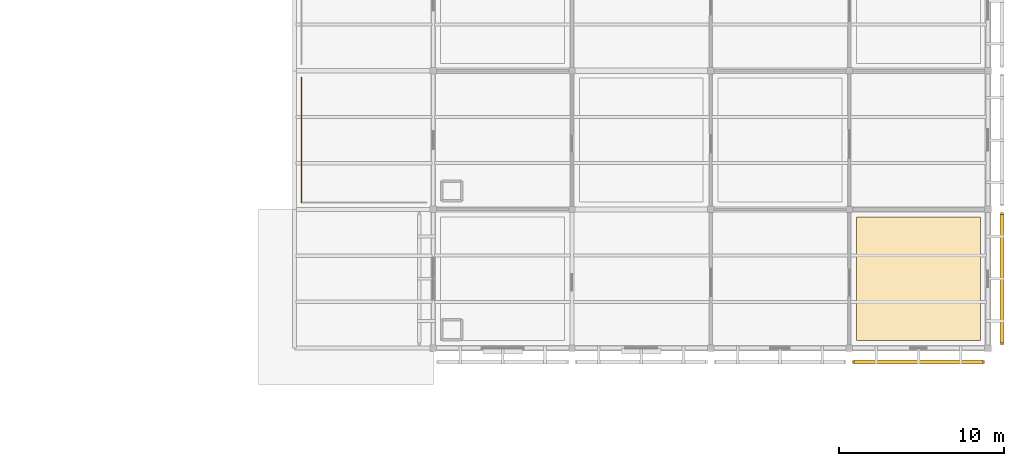
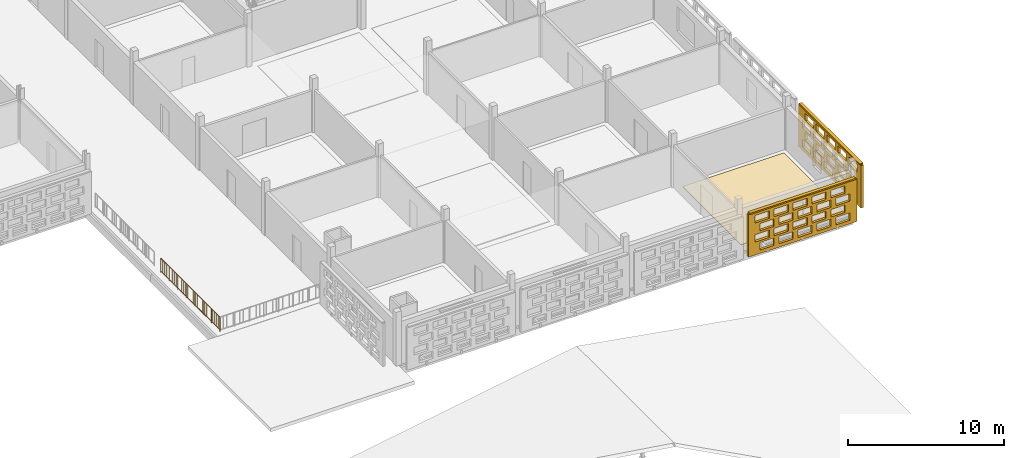
# One storey, part 132 of 140: 3 coverings, 2 shading devices, 1 railing, 40 openings.
"""IFC4 building model written with IfcOpenShell, lengths in metres."""

from ifc_helpers import new_model, si_unit, direction, frame, frame_2d, origin, origin_2d, place, context, subcontext, project, spatial, rectangle, circle, extrude, material, layer, layer_set, type_object, element, save


model = new_model("IFC4")

# Units and contexts
model_context = context("Model", 3, precision=1e-05, world=origin(), true_north=direction((0.0, 1.0)))
body_context = subcontext(model_context, "Body", "Model", "MODEL_VIEW")
ifc_project = project(units=[si_unit("LENGTHUNIT", "METRE"), si_unit("AREAUNIT", "SQUARE_METRE"), si_unit("VOLUMEUNIT", "CUBIC_METRE"), si_unit("PLANEANGLEUNIT", "RADIAN"), si_unit("MASSUNIT", "GRAM", prefix="KILO")], contexts=[model_context])

# Site, building, storey
site_placement = place(None, origin())
site = spatial("IfcSite", under=ifc_project, at=site_placement, CompositionType="ELEMENT")
building_placement = place(site_placement, origin())
building = spatial("IfcBuilding", under=site, at=building_placement, Name="Varnapada Polytechnic", CompositionType="ELEMENT")
storey_placement = place(building_placement, frame((0.0, 0.0, 13.800048828125)))
storey = spatial("IfcBuildingStorey", under=building, at=storey_placement, Name="L03", CompositionType="ELEMENT", Elevation=13.800048828125)

# Covering
ifc_material_1 = material(Name="End-Grain Timber Studio Block Flooring", Category="wood")
ifc_layer_1 = layer(ifc_material_1, 0.054931640625)
ifc_layer_set_1 = layer_set([ifc_layer_1], Name="End-Grain Timber Studio Block Flooring")
covering_type_1 = type_object("IfcCoveringType", Name="Floor Finish FLR-04", PredefinedType="FLOORING", material=ifc_layer_set_1)
covering_1_placement = place(storey_placement, frame((172.199951171875, 63.0, 0.0), z_axis=(0.0, 0.0, 1.0), x_axis=(1.0, 0.0, 0.0)))
element("IfcCovering", 1, at=covering_1_placement, inside=storey, type_object=covering_type_1, Name="L03 floor finish panel (21,8)", PredefinedType="FLOORING", context=body_context, shape_type="SweptSolid", body=[
    extrude(rectangle(XDim=7.5, YDim=7.5, at=origin_2d()), origin(), (0.0, 0.0, 1.0), 0.054931640625),
])

# Railing
ifc_material_2 = material(Name="Painted galvanized steel", Category="steel")
railing_type = type_object("IfcRailingType", Name="Terrace Guard Rail GRD-01", PredefinedType="BALUSTRADE", material=ifc_material_2)
railing_placement = place(storey_placement, frame((134.820068359375, 67.6201171875, 0.0)))
element("IfcRailing", 2, at=railing_placement, inside=storey, type_object=railing_type, Name="L03 terrace perimeter guard rail 8", PredefinedType="BALUSTRADE", context=body_context, shape_type="SweptSolid", body=[
    extrude(circle(Radius=0.02392578125, at=origin_2d()), frame((0.0, 0.0, 1.09619140625), z_axis=(0.0, 1.0, 0.0), x_axis=(-1.0, 0.0, 0.0)), (0.0, 0.0, 1.0), 7.559814453125),
    extrude(circle(Radius=0.02392578125, at=origin_2d()), frame((0.0, 0.0, 0.10009765625), z_axis=(0.0, 1.0, 0.0), x_axis=(-1.0, 0.0, 0.0)), (0.0, 0.0, 1.0), 7.559814453125),
    extrude(circle(Radius=0.02099609375, at=origin_2d()), origin(), (0.0, 0.0, 1.0), 1.072021484375),
    extrude(circle(Radius=0.02099609375, at=origin_2d()), frame((0.0, 1.080078125, 0.0)), (0.0, 0.0, 1.0), 1.072021484375),
    extrude(circle(Radius=0.02099609375, at=origin_2d()), frame((0.0, 2.159912109375, 0.0)), (0.0, 0.0, 1.0), 1.072021484375),
    extrude(circle(Radius=0.02099609375, at=origin_2d()), frame((0.0, 3.239990234375, 0.0)), (0.0, 0.0, 1.0), 1.072021484375),
    extrude(circle(Radius=0.02099609375, at=origin_2d()), frame((0.0, 4.31982421875, 0.0)), (0.0, 0.0, 1.0), 1.072021484375),
    extrude(circle(Radius=0.02099609375, at=origin_2d()), frame((0.0, 5.39990234375, 0.0)), (0.0, 0.0, 1.0), 1.072021484375),
    extrude(circle(Radius=0.02099609375, at=origin_2d()), frame((0.0, 6.479736328125, 0.0)), (0.0, 0.0, 1.0), 1.072021484375),
    extrude(circle(Radius=0.02099609375, at=origin_2d()), frame((0.0, 7.559814453125, 0.0)), (0.0, 0.0, 1.0), 1.072021484375),
    extrude(circle(Radius=0.010009765625, at=origin_2d()), frame((0.0, 0.243896484375, 0.10009765625)), (0.0, 0.0, 1.0), 0.971923828125),
    extrude(circle(Radius=0.010009765625, at=origin_2d()), frame((0.0, 0.48779296875, 0.10009765625)), (0.0, 0.0, 1.0), 0.971923828125),
    extrude(circle(Radius=0.010009765625, at=origin_2d()), frame((0.0, 0.731689453125, 0.10009765625)), (0.0, 0.0, 1.0), 0.971923828125),
    extrude(circle(Radius=0.010009765625, at=origin_2d()), frame((0.0, 0.975341796875, 0.10009765625)), (0.0, 0.0, 1.0), 0.971923828125),
    extrude(circle(Radius=0.010009765625, at=origin_2d()), frame((0.0, 1.21923828125, 0.10009765625)), (0.0, 0.0, 1.0), 0.971923828125),
    extrude(circle(Radius=0.010009765625, at=origin_2d()), frame((0.0, 1.463134765625, 0.10009765625)), (0.0, 0.0, 1.0), 0.971923828125),
    extrude(circle(Radius=0.010009765625, at=origin_2d()), frame((0.0, 1.70703125, 0.10009765625)), (0.0, 0.0, 1.0), 0.971923828125),
    extrude(circle(Radius=0.010009765625, at=origin_2d()), frame((0.0, 1.950927734375, 0.10009765625)), (0.0, 0.0, 1.0), 0.971923828125),
    extrude(circle(Radius=0.010009765625, at=origin_2d()), frame((0.0, 2.19482421875, 0.10009765625)), (0.0, 0.0, 1.0), 0.971923828125),
    extrude(circle(Radius=0.010009765625, at=origin_2d()), frame((0.0, 2.438720703125, 0.10009765625)), (0.0, 0.0, 1.0), 0.971923828125),
    extrude(circle(Radius=0.010009765625, at=origin_2d()), frame((0.0, 2.6826171875, 0.10009765625)), (0.0, 0.0, 1.0), 0.971923828125),
    extrude(circle(Radius=0.010009765625, at=origin_2d()), frame((0.0, 2.92626953125, 0.10009765625)), (0.0, 0.0, 1.0), 0.971923828125),
    extrude(circle(Radius=0.010009765625, at=origin_2d()), frame((0.0, 3.170166015625, 0.10009765625)), (0.0, 0.0, 1.0), 0.971923828125),
    extrude(circle(Radius=0.010009765625, at=origin_2d()), frame((0.0, 3.4140625, 0.10009765625)), (0.0, 0.0, 1.0), 0.971923828125),
    extrude(circle(Radius=0.010009765625, at=origin_2d()), frame((0.0, 3.657958984375, 0.10009765625)), (0.0, 0.0, 1.0), 0.971923828125),
    extrude(circle(Radius=0.010009765625, at=origin_2d()), frame((0.0, 3.90185546875, 0.10009765625)), (0.0, 0.0, 1.0), 0.971923828125),
    extrude(circle(Radius=0.010009765625, at=origin_2d()), frame((0.0, 4.145751953125, 0.10009765625)), (0.0, 0.0, 1.0), 0.971923828125),
    extrude(circle(Radius=0.010009765625, at=origin_2d()), frame((0.0, 4.3896484375, 0.10009765625)), (0.0, 0.0, 1.0), 0.971923828125),
    extrude(circle(Radius=0.010009765625, at=origin_2d()), frame((0.0, 4.633544921875, 0.10009765625)), (0.0, 0.0, 1.0), 0.971923828125),
    extrude(circle(Radius=0.010009765625, at=origin_2d()), frame((0.0, 4.877197265625, 0.10009765625)), (0.0, 0.0, 1.0), 0.971923828125),
    extrude(circle(Radius=0.010009765625, at=origin_2d()), frame((0.0, 5.12109375, 0.10009765625)), (0.0, 0.0, 1.0), 0.971923828125),
    extrude(circle(Radius=0.010009765625, at=origin_2d()), frame((0.0, 5.364990234375, 0.10009765625)), (0.0, 0.0, 1.0), 0.971923828125),
    extrude(circle(Radius=0.010009765625, at=origin_2d()), frame((0.0, 5.60888671875, 0.10009765625)), (0.0, 0.0, 1.0), 0.971923828125),
    extrude(circle(Radius=0.010009765625, at=origin_2d()), frame((0.0, 5.852783203125, 0.10009765625)), (0.0, 0.0, 1.0), 0.971923828125),
    extrude(circle(Radius=0.010009765625, at=origin_2d()), frame((0.0, 6.0966796875, 0.10009765625)), (0.0, 0.0, 1.0), 0.971923828125),
    extrude(circle(Radius=0.010009765625, at=origin_2d()), frame((0.0, 6.340576171875, 0.10009765625)), (0.0, 0.0, 1.0), 0.971923828125),
    extrude(circle(Radius=0.010009765625, at=origin_2d()), frame((0.0, 6.58447265625, 0.10009765625)), (0.0, 0.0, 1.0), 0.971923828125),
    extrude(circle(Radius=0.010009765625, at=origin_2d()), frame((0.0, 6.828125, 0.10009765625)), (0.0, 0.0, 1.0), 0.971923828125),
    extrude(circle(Radius=0.010009765625, at=origin_2d()), frame((0.0, 7.072021484375, 0.10009765625)), (0.0, 0.0, 1.0), 0.971923828125),
    extrude(circle(Radius=0.010009765625, at=origin_2d()), frame((0.0, 7.31591796875, 0.10009765625)), (0.0, 0.0, 1.0), 0.971923828125),
])

# Covering, openings
ifc_material_3 = material(Name="Earth-toned architectural terracotta screen block", Category="masonry")
ifc_layer_2 = layer(ifc_material_3, 0.1201171875)
ifc_layer_set_2 = layer_set([ifc_layer_2], Name="Earth-toned architectural terracotta screen block")
covering_type_2 = type_object("IfcCoveringType", Name="Terracotta Screen Cladding CLD-01", PredefinedType="CLADDING", material=ifc_layer_set_2)
covering_2_placement = place(storey_placement, frame((176.199951171875, 57.949951171875, 0.0), z_axis=(0.0, 0.0, 1.0), x_axis=(-1.0, 0.0, 0.0)))
covering_2 = element("IfcCovering", 3, at=covering_2_placement, inside=storey, type_object=covering_type_2, Name="L03 perforated terracotta block screen (92)", PredefinedType="CLADDING", context=body_context, shape_type="SweptSolid", body=[
    extrude(rectangle(XDim=8.010009765625, YDim=0.179931640625, at=frame_2d((4.0048828125, 0.0))), origin(), (0.0, 0.0, 1.0), 3.320068359375),
])
opening_1_placement = place(covering_2_placement, frame((0.5048828125, 0.0, 0.265625)))
element("IfcOpeningElement", 4, at=opening_1_placement, cuts=covering_2, Name="Screen perforation TBS-L03-091.1", PredefinedType="OPENING", context=body_context, shape_type="SweptSolid", body=[
    extrude(rectangle(XDim=1.0400390625, YDim=0.5810546875, at=frame_2d((0.52001953125, 0.29052734375))), frame((0.0, 0.099853515625, 0.0), z_axis=(0.0, -1.0, 0.0), x_axis=(1.0, 0.0, 0.0)), (0.0, 0.0, 1.0), 0.199951171875),
])
opening_2_placement = place(covering_2_placement, frame((1.905029296875, 0.0, 0.265625)))
element("IfcOpeningElement", 5, at=opening_2_placement, cuts=covering_2, Name="Screen perforation TBS-L03-091.2", PredefinedType="OPENING", context=body_context, shape_type="SweptSolid", body=[
    extrude(rectangle(XDim=1.0400390625, YDim=0.5810546875, at=frame_2d((0.52001953125, 0.29052734375))), frame((0.0, 0.099853515625, 0.0), z_axis=(0.0, -1.0, 0.0), x_axis=(1.0, 0.0, 0.0)), (0.0, 0.0, 1.0), 0.199951171875),
])
opening_3_placement = place(covering_2_placement, frame((3.304931640625, 0.0, 0.265625)))
element("IfcOpeningElement", 6, at=opening_3_placement, cuts=covering_2, Name="Screen perforation TBS-L03-091.3", PredefinedType="OPENING", context=body_context, shape_type="SweptSolid", body=[
    extrude(rectangle(XDim=1.0400390625, YDim=0.5810546875, at=frame_2d((0.52001953125, 0.29052734375))), frame((0.0, 0.099853515625, 0.0), z_axis=(0.0, -1.0, 0.0), x_axis=(1.0, 0.0, 0.0)), (0.0, 0.0, 1.0), 0.199951171875),
])
opening_4_placement = place(covering_2_placement, frame((4.705078125, 0.0, 0.265625)))
element("IfcOpeningElement", 7, at=opening_4_placement, cuts=covering_2, Name="Screen perforation TBS-L03-091.4", PredefinedType="OPENING", context=body_context, shape_type="SweptSolid", body=[
    extrude(rectangle(XDim=1.0400390625, YDim=0.5810546875, at=frame_2d((0.52001953125, 0.29052734375))), frame((0.0, 0.099853515625, 0.0), z_axis=(0.0, -1.0, 0.0), x_axis=(1.0, 0.0, 0.0)), (0.0, 0.0, 1.0), 0.199951171875),
])
opening_5_placement = place(covering_2_placement, frame((6.10498046875, 0.0, 0.265625)))
element("IfcOpeningElement", 8, at=opening_5_placement, cuts=covering_2, Name="Screen perforation TBS-L03-091.5", PredefinedType="OPENING", context=body_context, shape_type="SweptSolid", body=[
    extrude(rectangle(XDim=1.0400390625, YDim=0.5810546875, at=frame_2d((0.52001953125, 0.29052734375))), frame((0.0, 0.099853515625, 0.0), z_axis=(0.0, -1.0, 0.0), x_axis=(1.0, 0.0, 0.0)), (0.0, 0.0, 1.0), 0.199951171875),
])
opening_6_placement = place(covering_2_placement, frame((0.864990234375, 0.0, 1.0126953125)))
element("IfcOpeningElement", 9, at=opening_6_placement, cuts=covering_2, Name="Screen perforation TBS-L03-091.6", PredefinedType="OPENING", context=body_context, shape_type="SweptSolid", body=[
    extrude(rectangle(XDim=1.0400390625, YDim=0.5810546875, at=frame_2d((0.52001953125, 0.29052734375))), frame((0.0, 0.099853515625, 0.0), z_axis=(0.0, -1.0, 0.0), x_axis=(1.0, 0.0, 0.0)), (0.0, 0.0, 1.0), 0.199951171875),
])
opening_7_placement = place(covering_2_placement, frame((2.264892578125, 0.0, 1.0126953125)))
element("IfcOpeningElement", 10, at=opening_7_placement, cuts=covering_2, Name="Screen perforation TBS-L03-091.7", PredefinedType="OPENING", context=body_context, shape_type="SweptSolid", body=[
    extrude(rectangle(XDim=1.0400390625, YDim=0.5810546875, at=frame_2d((0.52001953125, 0.29052734375))), frame((0.0, 0.099853515625, 0.0), z_axis=(0.0, -1.0, 0.0), x_axis=(1.0, 0.0, 0.0)), (0.0, 0.0, 1.0), 0.199951171875),
])
opening_8_placement = place(covering_2_placement, frame((3.6650390625, 0.0, 1.0126953125)))
element("IfcOpeningElement", 11, at=opening_8_placement, cuts=covering_2, Name="Screen perforation TBS-L03-091.8", PredefinedType="OPENING", context=body_context, shape_type="SweptSolid", body=[
    extrude(rectangle(XDim=1.0400390625, YDim=0.5810546875, at=frame_2d((0.52001953125, 0.29052734375))), frame((0.0, 0.099853515625, 0.0), z_axis=(0.0, -1.0, 0.0), x_axis=(1.0, 0.0, 0.0)), (0.0, 0.0, 1.0), 0.199951171875),
])
opening_9_placement = place(covering_2_placement, frame((5.06494140625, 0.0, 1.0126953125)))
element("IfcOpeningElement", 12, at=opening_9_placement, cuts=covering_2, Name="Screen perforation TBS-L03-091.9", PredefinedType="OPENING", context=body_context, shape_type="SweptSolid", body=[
    extrude(rectangle(XDim=1.0400390625, YDim=0.5810546875, at=frame_2d((0.52001953125, 0.29052734375))), frame((0.0, 0.099853515625, 0.0), z_axis=(0.0, -1.0, 0.0), x_axis=(1.0, 0.0, 0.0)), (0.0, 0.0, 1.0), 0.199951171875),
])
opening_10_placement = place(covering_2_placement, frame((6.465087890625, 0.0, 1.0126953125)))
element("IfcOpeningElement", 13, at=opening_10_placement, cuts=covering_2, Name="Screen perforation TBS-L03-091.10", PredefinedType="OPENING", context=body_context, shape_type="SweptSolid", body=[
    extrude(rectangle(XDim=1.0400390625, YDim=0.5810546875, at=frame_2d((0.52001953125, 0.29052734375))), frame((0.0, 0.099853515625, 0.0), z_axis=(0.0, -1.0, 0.0), x_axis=(1.0, 0.0, 0.0)), (0.0, 0.0, 1.0), 0.199951171875),
])
opening_11_placement = place(covering_2_placement, frame((0.5048828125, 0.0, 1.759521484375)))
element("IfcOpeningElement", 14, at=opening_11_placement, cuts=covering_2, Name="Screen perforation TBS-L03-091.11", PredefinedType="OPENING", context=body_context, shape_type="SweptSolid", body=[
    extrude(rectangle(XDim=1.0400390625, YDim=0.5810546875, at=frame_2d((0.52001953125, 0.29052734375))), frame((0.0, 0.099853515625, 0.0), z_axis=(0.0, -1.0, 0.0), x_axis=(1.0, 0.0, 0.0)), (0.0, 0.0, 1.0), 0.199951171875),
])
opening_12_placement = place(covering_2_placement, frame((1.905029296875, 0.0, 1.759521484375)))
element("IfcOpeningElement", 15, at=opening_12_placement, cuts=covering_2, Name="Screen perforation TBS-L03-091.12", PredefinedType="OPENING", context=body_context, shape_type="SweptSolid", body=[
    extrude(rectangle(XDim=1.0400390625, YDim=0.5810546875, at=frame_2d((0.52001953125, 0.29052734375))), frame((0.0, 0.099853515625, 0.0), z_axis=(0.0, -1.0, 0.0), x_axis=(1.0, 0.0, 0.0)), (0.0, 0.0, 1.0), 0.199951171875),
])
opening_13_placement = place(covering_2_placement, frame((3.304931640625, 0.0, 1.759521484375)))
element("IfcOpeningElement", 16, at=opening_13_placement, cuts=covering_2, Name="Screen perforation TBS-L03-091.13", PredefinedType="OPENING", context=body_context, shape_type="SweptSolid", body=[
    extrude(rectangle(XDim=1.0400390625, YDim=0.5810546875, at=frame_2d((0.52001953125, 0.29052734375))), frame((0.0, 0.099853515625, 0.0), z_axis=(0.0, -1.0, 0.0), x_axis=(1.0, 0.0, 0.0)), (0.0, 0.0, 1.0), 0.199951171875),
])
opening_14_placement = place(covering_2_placement, frame((4.705078125, 0.0, 1.759521484375)))
element("IfcOpeningElement", 17, at=opening_14_placement, cuts=covering_2, Name="Screen perforation TBS-L03-091.14", PredefinedType="OPENING", context=body_context, shape_type="SweptSolid", body=[
    extrude(rectangle(XDim=1.0400390625, YDim=0.5810546875, at=frame_2d((0.52001953125, 0.29052734375))), frame((0.0, 0.099853515625, 0.0), z_axis=(0.0, -1.0, 0.0), x_axis=(1.0, 0.0, 0.0)), (0.0, 0.0, 1.0), 0.199951171875),
])
opening_15_placement = place(covering_2_placement, frame((6.10498046875, 0.0, 1.759521484375)))
element("IfcOpeningElement", 18, at=opening_15_placement, cuts=covering_2, Name="Screen perforation TBS-L03-091.15", PredefinedType="OPENING", context=body_context, shape_type="SweptSolid", body=[
    extrude(rectangle(XDim=1.0400390625, YDim=0.5810546875, at=frame_2d((0.52001953125, 0.29052734375))), frame((0.0, 0.099853515625, 0.0), z_axis=(0.0, -1.0, 0.0), x_axis=(1.0, 0.0, 0.0)), (0.0, 0.0, 1.0), 0.199951171875),
])
opening_16_placement = place(covering_2_placement, frame((0.864990234375, 0.0, 2.506591796875)))
element("IfcOpeningElement", 19, at=opening_16_placement, cuts=covering_2, Name="Screen perforation TBS-L03-091.16", PredefinedType="OPENING", context=body_context, shape_type="SweptSolid", body=[
    extrude(rectangle(XDim=1.0400390625, YDim=0.5810546875, at=frame_2d((0.52001953125, 0.29052734375))), frame((0.0, 0.099853515625, 0.0), z_axis=(0.0, -1.0, 0.0), x_axis=(1.0, 0.0, 0.0)), (0.0, 0.0, 1.0), 0.199951171875),
])
opening_17_placement = place(covering_2_placement, frame((2.264892578125, 0.0, 2.506591796875)))
element("IfcOpeningElement", 20, at=opening_17_placement, cuts=covering_2, Name="Screen perforation TBS-L03-091.17", PredefinedType="OPENING", context=body_context, shape_type="SweptSolid", body=[
    extrude(rectangle(XDim=1.0400390625, YDim=0.5810546875, at=frame_2d((0.52001953125, 0.29052734375))), frame((0.0, 0.099853515625, 0.0), z_axis=(0.0, -1.0, 0.0), x_axis=(1.0, 0.0, 0.0)), (0.0, 0.0, 1.0), 0.199951171875),
])
opening_18_placement = place(covering_2_placement, frame((3.6650390625, 0.0, 2.506591796875)))
element("IfcOpeningElement", 21, at=opening_18_placement, cuts=covering_2, Name="Screen perforation TBS-L03-091.18", PredefinedType="OPENING", context=body_context, shape_type="SweptSolid", body=[
    extrude(rectangle(XDim=1.0400390625, YDim=0.5810546875, at=frame_2d((0.52001953125, 0.29052734375))), frame((0.0, 0.099853515625, 0.0), z_axis=(0.0, -1.0, 0.0), x_axis=(1.0, 0.0, 0.0)), (0.0, 0.0, 1.0), 0.199951171875),
])
opening_19_placement = place(covering_2_placement, frame((5.06494140625, 0.0, 2.506591796875)))
element("IfcOpeningElement", 22, at=opening_19_placement, cuts=covering_2, Name="Screen perforation TBS-L03-091.19", PredefinedType="OPENING", context=body_context, shape_type="SweptSolid", body=[
    extrude(rectangle(XDim=1.0400390625, YDim=0.5810546875, at=frame_2d((0.52001953125, 0.29052734375))), frame((0.0, 0.099853515625, 0.0), z_axis=(0.0, -1.0, 0.0), x_axis=(1.0, 0.0, 0.0)), (0.0, 0.0, 1.0), 0.199951171875),
])
opening_20_placement = place(covering_2_placement, frame((6.465087890625, 0.0, 2.506591796875)))
element("IfcOpeningElement", 23, at=opening_20_placement, cuts=covering_2, Name="Screen perforation TBS-L03-091.20", PredefinedType="OPENING", context=body_context, shape_type="SweptSolid", body=[
    extrude(rectangle(XDim=1.0400390625, YDim=0.5810546875, at=frame_2d((0.52001953125, 0.29052734375))), frame((0.0, 0.099853515625, 0.0), z_axis=(0.0, -1.0, 0.0), x_axis=(1.0, 0.0, 0.0)), (0.0, 0.0, 1.0), 0.199951171875),
])

covering_3_placement = place(storey_placement, frame((177.25, 67.0, 0.0), z_axis=(0.0, 0.0, 1.0), x_axis=(0.0, -1.0, 0.0)))
covering_3 = element("IfcCovering", 24, at=covering_3_placement, inside=storey, type_object=covering_type_2, Name="L03 perforated terracotta block screen (93)", PredefinedType="CLADDING", context=body_context, shape_type="SweptSolid", body=[
    extrude(rectangle(XDim=8.0, YDim=0.179931640625, at=frame_2d((4.0, 0.0))), origin(), (0.0, 0.0, 1.0), 3.320068359375),
])
opening_21_placement = place(covering_3_placement, frame((0.5, 0.0, 0.265625)))
element("IfcOpeningElement", 25, at=opening_21_placement, cuts=covering_3, Name="Screen perforation TBS-L03-092.1", PredefinedType="OPENING", context=body_context, shape_type="SweptSolid", body=[
    extrude(rectangle(XDim=1.0400390625, YDim=0.5810546875, at=frame_2d((0.52001953125, 0.29052734375))), frame((0.0, 0.099853515625, 0.0), z_axis=(0.0, -1.0, 0.0), x_axis=(1.0, 0.0, 0.0)), (0.0, 0.0, 1.0), 0.199951171875),
])
opening_22_placement = place(covering_3_placement, frame((1.89990234375, 0.0, 0.265625)))
element("IfcOpeningElement", 26, at=opening_22_placement, cuts=covering_3, Name="Screen perforation TBS-L03-092.2", PredefinedType="OPENING", context=body_context, shape_type="SweptSolid", body=[
    extrude(rectangle(XDim=1.0400390625, YDim=0.5810546875, at=frame_2d((0.52001953125, 0.29052734375))), frame((0.0, 0.099853515625, 0.0), z_axis=(0.0, -1.0, 0.0), x_axis=(1.0, 0.0, 0.0)), (0.0, 0.0, 1.0), 0.199951171875),
])
opening_23_placement = place(covering_3_placement, frame((3.300048828125, 0.0, 0.265625)))
element("IfcOpeningElement", 27, at=opening_23_placement, cuts=covering_3, Name="Screen perforation TBS-L03-092.3", PredefinedType="OPENING", context=body_context, shape_type="SweptSolid", body=[
    extrude(rectangle(XDim=1.0400390625, YDim=0.5810546875, at=frame_2d((0.52001953125, 0.29052734375))), frame((0.0, 0.099853515625, 0.0), z_axis=(0.0, -1.0, 0.0), x_axis=(1.0, 0.0, 0.0)), (0.0, 0.0, 1.0), 0.199951171875),
])
opening_24_placement = place(covering_3_placement, frame((4.699951171875, 0.0, 0.265625)))
element("IfcOpeningElement", 28, at=opening_24_placement, cuts=covering_3, Name="Screen perforation TBS-L03-092.4", PredefinedType="OPENING", context=body_context, shape_type="SweptSolid", body=[
    extrude(rectangle(XDim=1.0400390625, YDim=0.5810546875, at=frame_2d((0.52001953125, 0.29052734375))), frame((0.0, 0.099853515625, 0.0), z_axis=(0.0, -1.0, 0.0), x_axis=(1.0, 0.0, 0.0)), (0.0, 0.0, 1.0), 0.199951171875),
])
opening_25_placement = place(covering_3_placement, frame((6.10009765625, 0.0, 0.265625)))
element("IfcOpeningElement", 29, at=opening_25_placement, cuts=covering_3, Name="Screen perforation TBS-L03-092.5", PredefinedType="OPENING", context=body_context, shape_type="SweptSolid", body=[
    extrude(rectangle(XDim=1.0400390625, YDim=0.5810546875, at=frame_2d((0.52001953125, 0.29052734375))), frame((0.0, 0.099853515625, 0.0), z_axis=(0.0, -1.0, 0.0), x_axis=(1.0, 0.0, 0.0)), (0.0, 0.0, 1.0), 0.199951171875),
])
opening_26_placement = place(covering_3_placement, frame((0.860107421875, 0.0, 1.0126953125)))
element("IfcOpeningElement", 30, at=opening_26_placement, cuts=covering_3, Name="Screen perforation TBS-L03-092.6", PredefinedType="OPENING", context=body_context, shape_type="SweptSolid", body=[
    extrude(rectangle(XDim=1.0400390625, YDim=0.5810546875, at=frame_2d((0.52001953125, 0.29052734375))), frame((0.0, 0.099853515625, 0.0), z_axis=(0.0, -1.0, 0.0), x_axis=(1.0, 0.0, 0.0)), (0.0, 0.0, 1.0), 0.199951171875),
])
opening_27_placement = place(covering_3_placement, frame((2.260009765625, 0.0, 1.0126953125)))
element("IfcOpeningElement", 31, at=opening_27_placement, cuts=covering_3, Name="Screen perforation TBS-L03-092.7", PredefinedType="OPENING", context=body_context, shape_type="SweptSolid", body=[
    extrude(rectangle(XDim=1.0400390625, YDim=0.5810546875, at=frame_2d((0.52001953125, 0.29052734375))), frame((0.0, 0.099853515625, 0.0), z_axis=(0.0, -1.0, 0.0), x_axis=(1.0, 0.0, 0.0)), (0.0, 0.0, 1.0), 0.199951171875),
])
opening_28_placement = place(covering_3_placement, frame((3.659912109375, 0.0, 1.0126953125)))
element("IfcOpeningElement", 32, at=opening_28_placement, cuts=covering_3, Name="Screen perforation TBS-L03-092.8", PredefinedType="OPENING", context=body_context, shape_type="SweptSolid", body=[
    extrude(rectangle(XDim=1.0400390625, YDim=0.5810546875, at=frame_2d((0.52001953125, 0.29052734375))), frame((0.0, 0.099853515625, 0.0), z_axis=(0.0, -1.0, 0.0), x_axis=(1.0, 0.0, 0.0)), (0.0, 0.0, 1.0), 0.199951171875),
])
opening_29_placement = place(covering_3_placement, frame((5.06005859375, 0.0, 1.0126953125)))
element("IfcOpeningElement", 33, at=opening_29_placement, cuts=covering_3, Name="Screen perforation TBS-L03-092.9", PredefinedType="OPENING", context=body_context, shape_type="SweptSolid", body=[
    extrude(rectangle(XDim=1.0400390625, YDim=0.5810546875, at=frame_2d((0.52001953125, 0.29052734375))), frame((0.0, 0.099853515625, 0.0), z_axis=(0.0, -1.0, 0.0), x_axis=(1.0, 0.0, 0.0)), (0.0, 0.0, 1.0), 0.199951171875),
])
opening_30_placement = place(covering_3_placement, frame((6.4599609375, 0.0, 1.0126953125)))
element("IfcOpeningElement", 34, at=opening_30_placement, cuts=covering_3, Name="Screen perforation TBS-L03-092.10", PredefinedType="OPENING", context=body_context, shape_type="SweptSolid", body=[
    extrude(rectangle(XDim=1.0400390625, YDim=0.5810546875, at=frame_2d((0.52001953125, 0.29052734375))), frame((0.0, 0.099853515625, 0.0), z_axis=(0.0, -1.0, 0.0), x_axis=(1.0, 0.0, 0.0)), (0.0, 0.0, 1.0), 0.199951171875),
])
opening_31_placement = place(covering_3_placement, frame((0.5, 0.0, 1.759521484375)))
element("IfcOpeningElement", 35, at=opening_31_placement, cuts=covering_3, Name="Screen perforation TBS-L03-092.11", PredefinedType="OPENING", context=body_context, shape_type="SweptSolid", body=[
    extrude(rectangle(XDim=1.0400390625, YDim=0.5810546875, at=frame_2d((0.52001953125, 0.29052734375))), frame((0.0, 0.099853515625, 0.0), z_axis=(0.0, -1.0, 0.0), x_axis=(1.0, 0.0, 0.0)), (0.0, 0.0, 1.0), 0.199951171875),
])
opening_32_placement = place(covering_3_placement, frame((1.89990234375, 0.0, 1.759521484375)))
element("IfcOpeningElement", 36, at=opening_32_placement, cuts=covering_3, Name="Screen perforation TBS-L03-092.12", PredefinedType="OPENING", context=body_context, shape_type="SweptSolid", body=[
    extrude(rectangle(XDim=1.0400390625, YDim=0.5810546875, at=frame_2d((0.52001953125, 0.29052734375))), frame((0.0, 0.099853515625, 0.0), z_axis=(0.0, -1.0, 0.0), x_axis=(1.0, 0.0, 0.0)), (0.0, 0.0, 1.0), 0.199951171875),
])
opening_33_placement = place(covering_3_placement, frame((3.300048828125, 0.0, 1.759521484375)))
element("IfcOpeningElement", 37, at=opening_33_placement, cuts=covering_3, Name="Screen perforation TBS-L03-092.13", PredefinedType="OPENING", context=body_context, shape_type="SweptSolid", body=[
    extrude(rectangle(XDim=1.0400390625, YDim=0.5810546875, at=frame_2d((0.52001953125, 0.29052734375))), frame((0.0, 0.099853515625, 0.0), z_axis=(0.0, -1.0, 0.0), x_axis=(1.0, 0.0, 0.0)), (0.0, 0.0, 1.0), 0.199951171875),
])
opening_34_placement = place(covering_3_placement, frame((4.699951171875, 0.0, 1.759521484375)))
element("IfcOpeningElement", 38, at=opening_34_placement, cuts=covering_3, Name="Screen perforation TBS-L03-092.14", PredefinedType="OPENING", context=body_context, shape_type="SweptSolid", body=[
    extrude(rectangle(XDim=1.0400390625, YDim=0.5810546875, at=frame_2d((0.52001953125, 0.29052734375))), frame((0.0, 0.099853515625, 0.0), z_axis=(0.0, -1.0, 0.0), x_axis=(1.0, 0.0, 0.0)), (0.0, 0.0, 1.0), 0.199951171875),
])
opening_35_placement = place(covering_3_placement, frame((6.10009765625, 0.0, 1.759521484375)))
element("IfcOpeningElement", 39, at=opening_35_placement, cuts=covering_3, Name="Screen perforation TBS-L03-092.15", PredefinedType="OPENING", context=body_context, shape_type="SweptSolid", body=[
    extrude(rectangle(XDim=1.0400390625, YDim=0.5810546875, at=frame_2d((0.52001953125, 0.29052734375))), frame((0.0, 0.099853515625, 0.0), z_axis=(0.0, -1.0, 0.0), x_axis=(1.0, 0.0, 0.0)), (0.0, 0.0, 1.0), 0.199951171875),
])
opening_36_placement = place(covering_3_placement, frame((0.860107421875, 0.0, 2.506591796875)))
element("IfcOpeningElement", 40, at=opening_36_placement, cuts=covering_3, Name="Screen perforation TBS-L03-092.16", PredefinedType="OPENING", context=body_context, shape_type="SweptSolid", body=[
    extrude(rectangle(XDim=1.0400390625, YDim=0.5810546875, at=frame_2d((0.52001953125, 0.29052734375))), frame((0.0, 0.099853515625, 0.0), z_axis=(0.0, -1.0, 0.0), x_axis=(1.0, 0.0, 0.0)), (0.0, 0.0, 1.0), 0.199951171875),
])
opening_37_placement = place(covering_3_placement, frame((2.260009765625, 0.0, 2.506591796875)))
element("IfcOpeningElement", 41, at=opening_37_placement, cuts=covering_3, Name="Screen perforation TBS-L03-092.17", PredefinedType="OPENING", context=body_context, shape_type="SweptSolid", body=[
    extrude(rectangle(XDim=1.0400390625, YDim=0.5810546875, at=frame_2d((0.52001953125, 0.29052734375))), frame((0.0, 0.099853515625, 0.0), z_axis=(0.0, -1.0, 0.0), x_axis=(1.0, 0.0, 0.0)), (0.0, 0.0, 1.0), 0.199951171875),
])
opening_38_placement = place(covering_3_placement, frame((3.659912109375, 0.0, 2.506591796875)))
element("IfcOpeningElement", 42, at=opening_38_placement, cuts=covering_3, Name="Screen perforation TBS-L03-092.18", PredefinedType="OPENING", context=body_context, shape_type="SweptSolid", body=[
    extrude(rectangle(XDim=1.0400390625, YDim=0.5810546875, at=frame_2d((0.52001953125, 0.29052734375))), frame((0.0, 0.099853515625, 0.0), z_axis=(0.0, -1.0, 0.0), x_axis=(1.0, 0.0, 0.0)), (0.0, 0.0, 1.0), 0.199951171875),
])
opening_39_placement = place(covering_3_placement, frame((5.06005859375, 0.0, 2.506591796875)))
element("IfcOpeningElement", 43, at=opening_39_placement, cuts=covering_3, Name="Screen perforation TBS-L03-092.19", PredefinedType="OPENING", context=body_context, shape_type="SweptSolid", body=[
    extrude(rectangle(XDim=1.0400390625, YDim=0.5810546875, at=frame_2d((0.52001953125, 0.29052734375))), frame((0.0, 0.099853515625, 0.0), z_axis=(0.0, -1.0, 0.0), x_axis=(1.0, 0.0, 0.0)), (0.0, 0.0, 1.0), 0.199951171875),
])
opening_40_placement = place(covering_3_placement, frame((6.4599609375, 0.0, 2.506591796875)))
element("IfcOpeningElement", 44, at=opening_40_placement, cuts=covering_3, Name="Screen perforation TBS-L03-092.20", PredefinedType="OPENING", context=body_context, shape_type="SweptSolid", body=[
    extrude(rectangle(XDim=1.0400390625, YDim=0.5810546875, at=frame_2d((0.52001953125, 0.29052734375))), frame((0.0, 0.099853515625, 0.0), z_axis=(0.0, -1.0, 0.0), x_axis=(1.0, 0.0, 0.0)), (0.0, 0.0, 1.0), 0.199951171875),
])

# Shading devices
ifc_layer_3 = layer(ifc_material_3, 0.179931640625)
ifc_layer_set_3 = layer_set([ifc_layer_3], Name="Earth-toned architectural terracotta screen block")
shading_device_type = type_object("IfcShadingDeviceType", Name="Terracotta Screen SCR-01", PredefinedType="USERDEFINED", material=ifc_layer_set_3)
shading_device_1_placement = place(storey_placement, frame((172.195068359375, 57.949951171875, 3.309814453125), z_axis=(0.0, 0.0, 1.0), x_axis=(-1.0, 0.0, 0.0)))
element("IfcShadingDevice", 45, at=shading_device_1_placement, inside=storey, type_object=shading_device_type, Name="L03 perforated terracotta screen hood 414", ObjectType="SCREEN", PredefinedType="USERDEFINED", context=body_context, shape_type="SweptSolid", body=[
    extrude(rectangle(XDim=7.81005859375, YDim=0.239990234375, at=origin_2d()), origin(), (0.0, 0.0, 1.0), 0.10009765625),
])
shading_device_2_placement = place(storey_placement, frame((177.25, 63.0, 3.309814453125), z_axis=(0.0, 0.0, 1.0), x_axis=(0.0, -1.0, 0.0)))
element("IfcShadingDevice", 46, at=shading_device_2_placement, inside=storey, type_object=shading_device_type, Name="L03 perforated terracotta screen hood 415", ObjectType="SCREEN", PredefinedType="USERDEFINED", context=body_context, shape_type="SweptSolid", body=[
    extrude(rectangle(XDim=7.800048828125, YDim=0.239990234375, at=origin_2d()), origin(), (0.0, 0.0, 1.0), 0.10009765625),
])

save(model, "model.ifc")
